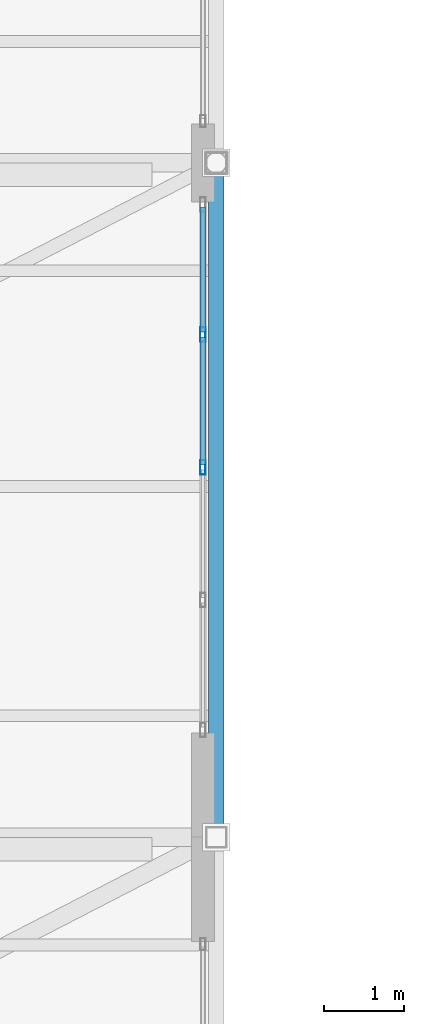
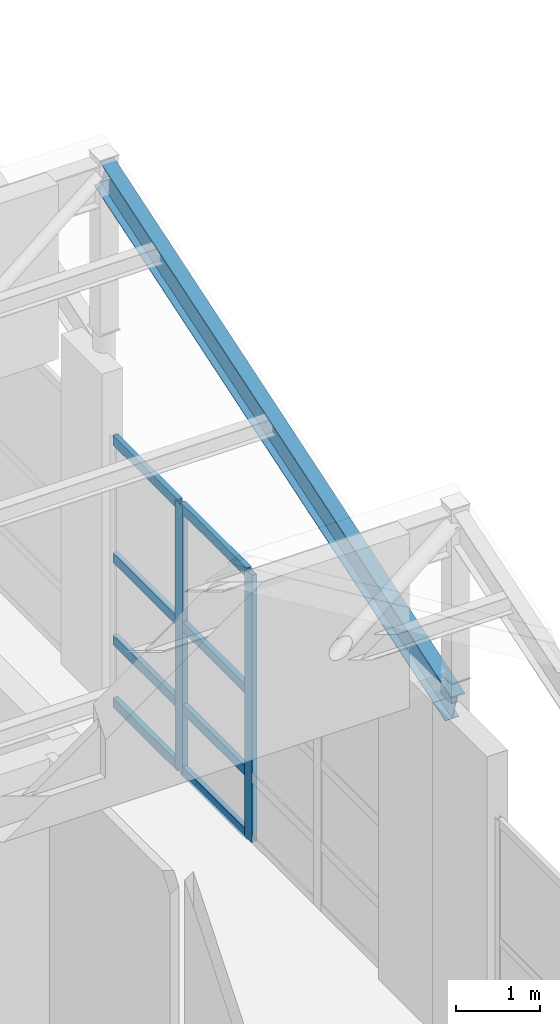
# One storey, part 13 of 34: 10 members, 1 beam, 1 element without a shape of its own.
"""IFC4 building model written with IfcOpenShell, lengths in metres."""

from ifc_helpers import new_model, si_unit, direction, frame, origin, origin_2d, place, context, subcontext, project, spatial, hollow_rectangle, i_section, extrude, material, layer, layer_set, material_profile, profile_set, type_object, element, aggregate, save


model = new_model("IFC4")

# Units and contexts
model_context = context("Model", 3, precision=1e-05, world=origin(), true_north=direction((0.0, 1.0)))
body_context = subcontext(model_context, "Body", "Model", "MODEL_VIEW")
ifc_project = project(units=[si_unit("LENGTHUNIT", "METRE"), si_unit("AREAUNIT", "SQUARE_METRE"), si_unit("VOLUMEUNIT", "CUBIC_METRE"), si_unit("PLANEANGLEUNIT", "RADIAN"), si_unit("MASSUNIT", "GRAM", prefix="KILO")], contexts=[model_context])

# Site, building, storey
site_placement = place(None, origin())
site = spatial("IfcSite", under=ifc_project, at=site_placement, CompositionType="ELEMENT")
building_placement = place(site_placement, origin())
building = spatial("IfcBuilding", under=site, at=building_placement, Name="Quendrovan Civic Courthouse", CompositionType="ELEMENT")
storey_placement = place(building_placement, frame((0.0, 0.0, 25.5)))
storey = spatial("IfcBuildingStorey", under=building, at=storey_placement, Name="L06", CompositionType="ELEMENT", Elevation=25.5)

# Beam
ifc_material_1 = material(Name="Steel ASTM A992 Grade 50", Category="steel")
ifc_material_profile_1 = material_profile(ifc_material_1, i_section(OverallWidth=0.18994140625, OverallDepth=0.45703125, WebThickness=0.009033203125, FlangeThickness=0.014404296875, at=origin_2d()), Name="W460x74")
ifc_profile_set_1 = profile_set([ifc_material_profile_1], Name="Steel ASTM A992 Grade 50")
beam_type = type_object("IfcBeamType", Name="BM-STL-W460", PredefinedType="BEAM", material=ifc_profile_set_1)
beam_placement = place(storey_placement, frame((16.800048828125, 56.39990234375, 4.651611328125), z_axis=(0.0, 0.951060675412, 0.309004193636), x_axis=(-1.0, 0.0, 0.0)))
element("IfcBeam", 1, at=beam_placement, inside=storey, type_object=beam_type, Name="Sawtooth Raking Steel Rafter B5-E", PredefinedType="BEAM", context=body_context, shape_type="SweptSolid", body=[
    extrude(i_section(OverallWidth=0.18994140625, OverallDepth=0.45703125, WebThickness=0.009033203125, FlangeThickness=0.014404296875, at=origin_2d()), origin(), (0.0, 0.0, 1.0), 8.83251953125),
])

# Curtain wall, members
ifc_material_2 = material(Name="Bronze anodised aluminium and low-E glass", Category="aluminium")
ifc_layer = layer(ifc_material_2, 0.179931640625, Name="Bronze anodised aluminium and low-E glass")
ifc_layer_set = layer_set([ifc_layer], Name="Bronze anodised aluminium and low-E glass")
curtain_wall_type = type_object("IfcCurtainWallType", Name="CW-U66x39", PredefinedType="USERDEFINED", material=ifc_layer_set)
curtain_wall_placement = place(storey_placement, origin())
curtain_wall = element("IfcCurtainWall", 2, at=curtain_wall_placement, inside=storey, type_object=curtain_wall_type, Name="L06 Unitised Hurricane Curtain Wall CW-210", ObjectType="UNITISED CURTAIN WALL", PredefinedType="USERDEFINED")
ifc_material_3 = material(Name="Bronze anodised aluminium", Category="aluminium")
ifc_material_profile_2 = material_profile(ifc_material_3, hollow_rectangle(XDim=0.070068359375, YDim=0.179931640625, WallThickness=0.00390625, at=origin_2d()), Name="CW-MULL-70x180")
ifc_profile_set_2 = profile_set([ifc_material_profile_2], Name="Bronze anodised aluminium")
member_type_1 = type_object("IfcMemberType", Name="CW-MULL-A", PredefinedType="MULLION", material=ifc_profile_set_2)
member_1_placement = place(storey_placement, frame((16.635009765625, 62.66015625, 0.0), z_axis=(0.0, 0.0, 1.0), x_axis=(1.0, 0.0, 0.0)))
member_1 = element("IfcMember", 3, at=member_1_placement, type_object=member_type_1, Name="CW-210 mullion 2", PredefinedType="MULLION", context=body_context, shape_type="SweptSolid", body=[
    extrude(hollow_rectangle(XDim=0.070068359375, YDim=0.179931640625, WallThickness=0.00390625, at=origin_2d()), origin(), (0.0, 0.0, 1.0), 3.89990234375),
])
member_2_placement = place(storey_placement, frame((16.635009765625, 61.0068359375, 0.0), z_axis=(0.0, 0.0, 1.0), x_axis=(1.0, 0.0, 0.0)))
member_2 = element("IfcMember", 4, at=member_2_placement, type_object=member_type_1, Name="CW-210 mullion 3", PredefinedType="MULLION", context=body_context, shape_type="SweptSolid", body=[
    extrude(hollow_rectangle(XDim=0.070068359375, YDim=0.179931640625, WallThickness=0.00390625, at=origin_2d()), origin(), (0.0, 0.0, 1.0), 3.89990234375),
])
ifc_material_profile_3 = material_profile(ifc_material_3, hollow_rectangle(XDim=0.070068359375, YDim=0.139892578125, WallThickness=0.00390625, at=origin_2d()), Name="CW-TRAN-70x140")
ifc_profile_set_3 = profile_set([ifc_material_profile_3], Name="Bronze anodised aluminium")
member_type_2 = type_object("IfcMemberType", Name="CW-TRAN-A", PredefinedType="USERDEFINED", material=ifc_profile_set_3)
member_3_placement = place(storey_placement, frame((16.635009765625, 64.243408203125, 0.034912109375), z_axis=(0.0, -1.0, 0.0), x_axis=(1.0, 0.0, 0.0)))
member_3 = element("IfcMember", 5, at=member_3_placement, type_object=member_type_2, Name="CW-210 transom 1.1", ObjectType="TRANSOM", PredefinedType="USERDEFINED", context=body_context, shape_type="SweptSolid", body=[
    extrude(hollow_rectangle(XDim=0.070068359375, YDim=0.139892578125, WallThickness=0.00390625, at=origin_2d()), origin(), (0.0, 0.0, 1.0), 1.54833984375),
])
member_4_placement = place(storey_placement, frame((16.635009765625, 64.243408203125, 0.949951171875), z_axis=(0.0, -1.0, 0.0), x_axis=(1.0, 0.0, 0.0)))
member_4 = element("IfcMember", 6, at=member_4_placement, type_object=member_type_2, Name="CW-210 transom 1.2", ObjectType="TRANSOM", PredefinedType="USERDEFINED", context=body_context, shape_type="SweptSolid", body=[
    extrude(hollow_rectangle(XDim=0.070068359375, YDim=0.139892578125, WallThickness=0.00390625, at=origin_2d()), origin(), (0.0, 0.0, 1.0), 1.54833984375),
])
member_5_placement = place(storey_placement, frame((16.635009765625, 64.243408203125, 2.14990234375), z_axis=(0.0, -1.0, 0.0), x_axis=(1.0, 0.0, 0.0)))
member_5 = element("IfcMember", 7, at=member_5_placement, type_object=member_type_2, Name="CW-210 transom 1.3", ObjectType="TRANSOM", PredefinedType="USERDEFINED", context=body_context, shape_type="SweptSolid", body=[
    extrude(hollow_rectangle(XDim=0.070068359375, YDim=0.139892578125, WallThickness=0.00390625, at=origin_2d()), origin(), (0.0, 0.0, 1.0), 1.54833984375),
])
member_6_placement = place(storey_placement, frame((16.635009765625, 64.243408203125, 3.864990234375), z_axis=(0.0, -1.0, 0.0), x_axis=(1.0, 0.0, 0.0)))
member_6 = element("IfcMember", 8, at=member_6_placement, type_object=member_type_2, Name="CW-210 transom 1.4", ObjectType="TRANSOM", PredefinedType="USERDEFINED", context=body_context, shape_type="SweptSolid", body=[
    extrude(hollow_rectangle(XDim=0.070068359375, YDim=0.139892578125, WallThickness=0.00390625, at=origin_2d()), origin(), (0.0, 0.0, 1.0), 1.54833984375),
])
member_7_placement = place(storey_placement, frame((16.635009765625, 62.625244140625, 0.034912109375), z_axis=(0.0, -1.0, 0.0), x_axis=(1.0, 0.0, 0.0)))
member_7 = element("IfcMember", 9, at=member_7_placement, type_object=member_type_2, Name="CW-210 transom 2.1", ObjectType="TRANSOM", PredefinedType="USERDEFINED", context=body_context, shape_type="SweptSolid", body=[
    extrude(hollow_rectangle(XDim=0.070068359375, YDim=0.139892578125, WallThickness=0.00390625, at=origin_2d()), origin(), (0.0, 0.0, 1.0), 1.58349609375),
])
member_8_placement = place(storey_placement, frame((16.635009765625, 62.625244140625, 0.949951171875), z_axis=(0.0, -1.0, 0.0), x_axis=(1.0, 0.0, 0.0)))
member_8 = element("IfcMember", 10, at=member_8_placement, type_object=member_type_2, Name="CW-210 transom 2.2", ObjectType="TRANSOM", PredefinedType="USERDEFINED", context=body_context, shape_type="SweptSolid", body=[
    extrude(hollow_rectangle(XDim=0.070068359375, YDim=0.139892578125, WallThickness=0.00390625, at=origin_2d()), origin(), (0.0, 0.0, 1.0), 1.58349609375),
])
member_9_placement = place(storey_placement, frame((16.635009765625, 62.625244140625, 2.14990234375), z_axis=(0.0, -1.0, 0.0), x_axis=(1.0, 0.0, 0.0)))
member_9 = element("IfcMember", 11, at=member_9_placement, type_object=member_type_2, Name="CW-210 transom 2.3", ObjectType="TRANSOM", PredefinedType="USERDEFINED", context=body_context, shape_type="SweptSolid", body=[
    extrude(hollow_rectangle(XDim=0.070068359375, YDim=0.139892578125, WallThickness=0.00390625, at=origin_2d()), origin(), (0.0, 0.0, 1.0), 1.58349609375),
])
member_10_placement = place(storey_placement, frame((16.635009765625, 62.625244140625, 3.864990234375), z_axis=(0.0, -1.0, 0.0), x_axis=(1.0, 0.0, 0.0)))
member_10 = element("IfcMember", 12, at=member_10_placement, type_object=member_type_2, Name="CW-210 transom 2.4", ObjectType="TRANSOM", PredefinedType="USERDEFINED", context=body_context, shape_type="SweptSolid", body=[
    extrude(hollow_rectangle(XDim=0.070068359375, YDim=0.139892578125, WallThickness=0.00390625, at=origin_2d()), origin(), (0.0, 0.0, 1.0), 1.58349609375),
])
aggregate(curtain_wall, [member_1, member_2, member_3, member_4, member_5, member_6, member_7, member_8, member_9, member_10])

save(model, "model.ifc")
